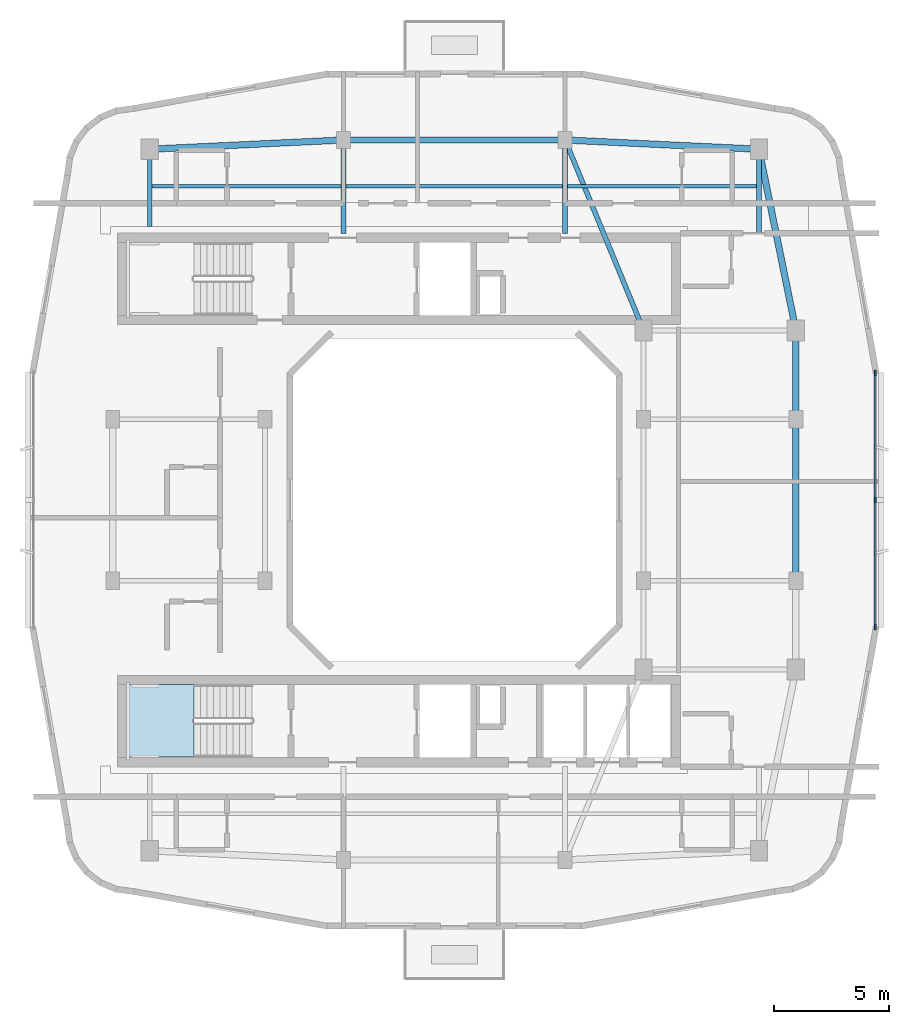
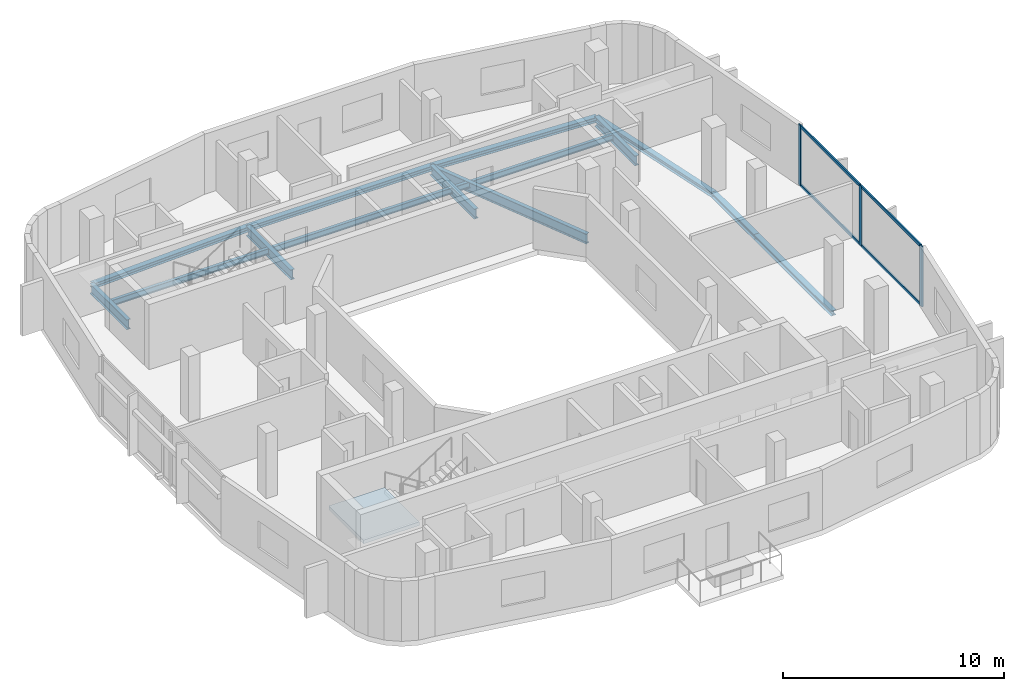
# One storey, part 2 of 10: 14 beams, 7 members, 1 slab, 2 elements without a shape of their own.
"""IFC4 building model written with IfcOpenShell, lengths in metres."""

from ifc_helpers import new_model, si_unit, derived_unit, direction, frame, origin, origin_2d, place, context, subcontext, project, spatial, polyline, rectangle, i_section, outline, extrude, material, layer, layer_set, material_profile, profile_set, type_object, element, aggregate, save


model = new_model("IFC4")

# Units and contexts
model_context = context("Model", 3, precision=1e-05, world=origin(), true_north=direction((0.0, 1.0)))
body_context = subcontext(model_context, "Body", "Model", "MODEL_VIEW")
ifc_project = project(units=[si_unit("LENGTHUNIT", "METRE"), si_unit("AREAUNIT", "SQUARE_METRE"), si_unit("VOLUMEUNIT", "CUBIC_METRE"), si_unit("PLANEANGLEUNIT", "RADIAN"), si_unit("MASSUNIT", "GRAM", prefix="KILO"), derived_unit("THERMALTRANSMITTANCEUNIT", [(si_unit("POWERUNIT", "WATT"), 1), (si_unit("LENGTHUNIT", "METRE"), -2), (si_unit("THERMODYNAMICTEMPERATUREUNIT", "KELVIN"), -1)])], contexts=[model_context])

# Site, building, storey
site_placement = place(None, origin())
site = spatial("IfcSite", under=ifc_project, at=site_placement, CompositionType="ELEMENT")
building_placement = place(site_placement, origin())
building = spatial("IfcBuilding", under=site, at=building_placement, Name="Kivonza Crest Hotel", CompositionType="ELEMENT")
storey_placement = place(building_placement, frame((0.0, 0.0, 243.199951171875)))
storey = spatial("IfcBuildingStorey", under=building, at=storey_placement, Name="L66", CompositionType="ELEMENT", Elevation=243.199951171875)

# Beams
ifc_material_1 = material(Name="Steel S355", Category="steel")
ifc_material_profile_1 = material_profile(ifc_material_1, i_section(OverallWidth=0.280029296875, OverallDepth=0.280029296875, WebThickness=0.010498046875, FlangeThickness=0.01806640625, FilletRadius=0.02392578125, at=origin_2d()), Name="HEB 280")
ifc_profile_set_1 = profile_set([ifc_material_profile_1], Name="Steel S355")
beam_type_1 = type_object("IfcBeamType", Name="BM-HEB280", PredefinedType="SPANDREL", material=ifc_profile_set_1)
beam_1_placement = place(storey_placement, frame((35.800048828125, 21.5, -0.419921875), z_axis=(0.0, 1.0, 0.0), x_axis=(-1.0, 0.0, 0.0)))
element("IfcBeam", 1, at=beam_1_placement, inside=storey, type_object=beam_type_1, Name="Tower T1 L66 perimeter spandrel E1-E2", PredefinedType="SPANDREL", context=body_context, shape_type="SweptSolid", body=[
    extrude(i_section(OverallWidth=0.280029296875, OverallDepth=0.280029296875, WebThickness=0.010498046875, FlangeThickness=0.01806640625, FilletRadius=0.02392578125, at=origin_2d()), origin(), (0.0, 0.0, 1.0), 7.0),
])
beam_2_placement = place(storey_placement, frame((35.800048828125, 28.5, -0.419921875), z_axis=(0.0, 1.0, 0.0), x_axis=(-1.0, 0.0, 0.0)))
element("IfcBeam", 2, at=beam_2_placement, inside=storey, type_object=beam_type_1, Name="Tower T1 L66 perimeter spandrel E2-PNE", PredefinedType="SPANDREL", context=body_context, shape_type="SweptSolid", body=[
    extrude(i_section(OverallWidth=0.280029296875, OverallDepth=0.280029296875, WebThickness=0.010498046875, FlangeThickness=0.01806640625, FilletRadius=0.02392578125, at=origin_2d()), origin(), (0.0, 0.0, 1.0), 3.85009765625),
])
beam_3_placement = place(storey_placement, frame((35.800048828125, 32.35009765625, -0.419921875), z_axis=(-0.199730733965, 0.979850822273, 0.0), x_axis=(-0.979850822273, -0.199730733965, 0.0)))
element("IfcBeam", 3, at=beam_3_placement, inside=storey, type_object=beam_type_1, Name="Tower T1 L66 perimeter spandrel PNE-NE", PredefinedType="SPANDREL", context=body_context, shape_type="SweptSolid", body=[
    extrude(i_section(OverallWidth=0.280029296875, OverallDepth=0.280029296875, WebThickness=0.010498046875, FlangeThickness=0.01806640625, FilletRadius=0.02392578125, at=origin_2d()), origin(), (0.0, 0.0, 1.0), 8.01123046875),
])
beam_4_placement = place(storey_placement, frame((34.199951171875, 40.199951171875, -0.419921875), z_axis=(-0.998867283688, 0.047583080799, 0.0), x_axis=(-0.047583080799, -0.998867283688, 0.0)))
element("IfcBeam", 4, at=beam_4_placement, inside=storey, type_object=beam_type_1, Name="Tower T1 L66 perimeter spandrel NE-N2", PredefinedType="SPANDREL", context=body_context, shape_type="SweptSolid", body=[
    extrude(i_section(OverallWidth=0.280029296875, OverallDepth=0.280029296875, WebThickness=0.010498046875, FlangeThickness=0.01806640625, FilletRadius=0.02392578125, at=origin_2d()), origin(), (0.0, 0.0, 1.0), 8.409423828125),
])
beam_5_placement = place(storey_placement, frame((25.800048828125, 40.60009765625, -0.419921875), z_axis=(-1.0, 0.0, 0.0), x_axis=(0.0, -1.0, 0.0)))
element("IfcBeam", 5, at=beam_5_placement, inside=storey, type_object=beam_type_1, Name="Tower T1 L66 perimeter spandrel N2-N1", PredefinedType="SPANDREL", context=body_context, shape_type="SweptSolid", body=[
    extrude(i_section(OverallWidth=0.280029296875, OverallDepth=0.280029296875, WebThickness=0.010498046875, FlangeThickness=0.01806640625, FilletRadius=0.02392578125, at=origin_2d()), origin(), (0.0, 0.0, 1.0), 9.60009765625),
])
beam_6_placement = place(storey_placement, frame((16.199951171875, 40.60009765625, -0.419921875), z_axis=(-0.998867283688, -0.047583080799, 0.0), x_axis=(0.047583080799, -0.998867283688, 0.0)))
element("IfcBeam", 6, at=beam_6_placement, inside=storey, type_object=beam_type_1, Name="Tower T1 L66 perimeter spandrel N1-NW", PredefinedType="SPANDREL", context=body_context, shape_type="SweptSolid", body=[
    extrude(i_section(OverallWidth=0.280029296875, OverallDepth=0.280029296875, WebThickness=0.010498046875, FlangeThickness=0.01806640625, FilletRadius=0.02392578125, at=origin_2d()), origin(), (0.0, 0.0, 1.0), 8.409423828125),
])
ifc_material_profile_2 = material_profile(ifc_material_1, i_section(OverallWidth=0.159912109375, OverallDepth=0.330078125, WebThickness=0.007568359375, FlangeThickness=0.011474609375, FilletRadius=0.01806640625, at=origin_2d()), Name="IPE 330")
ifc_profile_set_2 = profile_set([ifc_material_profile_2], Name="Steel S355")
beam_type_2 = type_object("IfcBeamType", Name="BM-IPE330", PredefinedType="JOIST", material=ifc_profile_set_2)
beam_7_placement = place(storey_placement, frame((7.8798828125, 38.60009765625, -0.445068359375), z_axis=(1.0, 0.0, 0.0), x_axis=(0.0, 1.0, 0.0)))
element("IfcBeam", 7, at=beam_7_placement, inside=storey, type_object=beam_type_2, Name="Tower T1 L66 North-West floor joist", PredefinedType="JOIST", context=body_context, shape_type="SweptSolid", body=[
    extrude(i_section(OverallWidth=0.159912109375, OverallDepth=0.330078125, WebThickness=0.007568359375, FlangeThickness=0.011474609375, FilletRadius=0.01806640625, at=origin_2d()), origin(), (0.0, 0.0, 1.0), 8.240234375),
])
beam_8_placement = place(storey_placement, frame((16.280029296875, 38.60009765625, -0.445068359375), z_axis=(1.0, 0.0, 0.0), x_axis=(0.0, 1.0, 0.0)))
element("IfcBeam", 8, at=beam_8_placement, inside=storey, type_object=beam_type_2, Name="Tower T1 L66 North-Mid floor joist", PredefinedType="JOIST", context=body_context, shape_type="SweptSolid", body=[
    extrude(i_section(OverallWidth=0.159912109375, OverallDepth=0.330078125, WebThickness=0.007568359375, FlangeThickness=0.011474609375, FilletRadius=0.01806640625, at=origin_2d()), origin(), (0.0, 0.0, 1.0), 9.43994140625),
])
beam_9_placement = place(storey_placement, frame((25.8798828125, 38.60009765625, -0.445068359375), z_axis=(1.0, 0.0, 0.0), x_axis=(0.0, 1.0, 0.0)))
element("IfcBeam", 9, at=beam_9_placement, inside=storey, type_object=beam_type_2, Name="Tower T1 L66 North-East floor joist", PredefinedType="JOIST", context=body_context, shape_type="SweptSolid", body=[
    extrude(i_section(OverallWidth=0.159912109375, OverallDepth=0.330078125, WebThickness=0.007568359375, FlangeThickness=0.011474609375, FilletRadius=0.01806640625, at=origin_2d()), origin(), (0.0, 0.0, 1.0), 8.240234375),
])
ifc_material_profile_3 = material_profile(ifc_material_1, i_section(OverallWidth=0.2099609375, OverallDepth=0.550048828125, WebThickness=0.010986328125, FlangeThickness=0.01708984375, FilletRadius=0.02392578125, at=origin_2d()), Name="IPE 550")
ifc_profile_set_3 = profile_set([ifc_material_profile_3], Name="Steel S355")
beam_type_3 = type_object("IfcBeamType", Name="BM-IPE550", PredefinedType="BEAM", material=ifc_profile_set_3)
beam_10_placement = place(storey_placement, frame((25.800048828125, 40.60009765625, -0.554931640625), z_axis=(0.381022260404, -0.924565864109, 0.0), x_axis=(0.924565864109, 0.381022260404, 0.0)))
element("IfcBeam", 10, at=beam_10_placement, inside=storey, type_object=beam_type_3, Name="Tower T1 L66 primary girder N1-TNE", PredefinedType="BEAM", context=body_context, shape_type="SweptSolid", body=[
    extrude(i_section(OverallWidth=0.2099609375, OverallDepth=0.550048828125, WebThickness=0.010986328125, FlangeThickness=0.01708984375, FilletRadius=0.02392578125, at=origin_2d()), origin(), (0.0, 0.0, 1.0), 8.923095703125),
])
beam_11_placement = place(storey_placement, frame((7.800048828125, 40.199951171875, -0.554931640625), z_axis=(0.0, -1.0, 0.0), x_axis=(1.0, 0.0, 0.0)))
element("IfcBeam", 11, at=beam_11_placement, inside=storey, type_object=beam_type_3, Name="Tower T1 L66 radial core girder RNW", PredefinedType="BEAM", context=body_context, shape_type="SweptSolid", body=[
    extrude(i_section(OverallWidth=0.2099609375, OverallDepth=0.550048828125, WebThickness=0.010986328125, FlangeThickness=0.01708984375, FilletRadius=0.02392578125, at=origin_2d()), origin(), (0.0, 0.0, 1.0), 3.349853515625),
])
for number, where, z_axis, x_axis, name in (
    (12, (16.199951171875, 40.60009765625, -0.554931640625), (0.0, -1.0, 0.0), (1.0, 0.0, 0.0), "Tower T1 L66 radial core girder RN1"),
    (13, (25.800048828125, 40.60009765625, -0.554931640625), (0.0, -1.0, 0.0), (1.0, 0.0, 0.0), "Tower T1 L66 radial core girder RN2"),
):
    element("IfcBeam", number, at=place(storey_placement, frame(where, z_axis=z_axis, x_axis=x_axis)), inside=storey, type_object=beam_type_3, Name=name, PredefinedType="BEAM", context=body_context, shape_type="SweptSolid", body=[
        extrude(i_section(OverallWidth=0.2099609375, OverallDepth=0.550048828125, WebThickness=0.010986328125, FlangeThickness=0.01708984375, FilletRadius=0.02392578125, at=origin_2d()), origin(), (0.0, 0.0, 1.0), 4.050048828125),
    ])
beam_12_placement = place(storey_placement, frame((34.199951171875, 40.199951171875, -0.554931640625), z_axis=(0.0, -1.0, 0.0), x_axis=(1.0, 0.0, 0.0)))
element("IfcBeam", 14, at=beam_12_placement, inside=storey, type_object=beam_type_3, Name="Tower T1 L66 radial core girder RNE", PredefinedType="BEAM", context=body_context, shape_type="SweptSolid", body=[
    extrude(i_section(OverallWidth=0.2099609375, OverallDepth=0.550048828125, WebThickness=0.010986328125, FlangeThickness=0.01708984375, FilletRadius=0.02392578125, at=origin_2d()), origin(), (0.0, 0.0, 1.0), 3.64990234375),
])

# Curtain wall, members
ifc_material_2 = material(Name="Anodised bronze aluminium and low-E double glazing", Category="aluminium")
ifc_layer_1 = layer(ifc_material_2, 0.179931640625)
ifc_layer_set_1 = layer_set([ifc_layer_1], Name="Anodised bronze aluminium and low-E double glazing")
curtain_wall_type = type_object("IfcCurtainWallType", Name="CW-SYS-3", PredefinedType="NOTDEFINED", material=ifc_layer_set_1)
curtain_wall_placement = place(storey_placement, origin())
curtain_wall = element("IfcCurtainWall", 15, at=curtain_wall_placement, inside=storey, type_object=curtain_wall_type, Name="L66 unitised curtain wall CW-T1-L66-17", PredefinedType="NOTDEFINED")
ifc_material_3 = material(Name="Anodised bronze aluminium", Category="aluminium")
ifc_material_profile_4 = material_profile(ifc_material_3, rectangle(XDim=0.074951171875, YDim=0.219970703125, at=origin_2d()), Name="CW-M 75x220")
ifc_profile_set_4 = profile_set([ifc_material_profile_4], Name="Anodised bronze aluminium")
member_type_1 = type_object("IfcMemberType", Name="CW-MUL-75x220", PredefinedType="MULLION", material=ifc_profile_set_4)
member_1_placement = place(storey_placement, frame((39.239990234375, 19.49755859375, 0.0), z_axis=(0.0, 0.0, 1.0), x_axis=(-1.0, 0.0, 0.0)))
member_1 = element("IfcMember", 16, at=member_1_placement, type_object=member_type_1, Name="CW-3 mullion 1", PredefinedType="MULLION", context=body_context, shape_type="SweptSolid", body=[
    extrude(rectangle(XDim=0.074951171875, YDim=0.219970703125, at=origin_2d()), origin(), (0.0, 0.0, 1.0), 3.320068359375),
])
member_2_placement = place(storey_placement, frame((39.239990234375, 25.0, 0.0), z_axis=(0.0, 0.0, 1.0), x_axis=(-1.0, 0.0, 0.0)))
member_2 = element("IfcMember", 17, at=member_2_placement, type_object=member_type_1, Name="CW-3 mullion 2", PredefinedType="MULLION", context=body_context, shape_type="SweptSolid", body=[
    extrude(rectangle(XDim=0.074951171875, YDim=0.219970703125, at=origin_2d()), origin(), (0.0, 0.0, 1.0), 3.320068359375),
])
member_3_placement = place(storey_placement, frame((39.239990234375, 30.50244140625, 0.0), z_axis=(0.0, 0.0, 1.0), x_axis=(-1.0, 0.0, 0.0)))
member_3 = element("IfcMember", 18, at=member_3_placement, type_object=member_type_1, Name="CW-3 mullion 3", PredefinedType="MULLION", context=body_context, shape_type="SweptSolid", body=[
    extrude(rectangle(XDim=0.074951171875, YDim=0.219970703125, at=origin_2d()), origin(), (0.0, 0.0, 1.0), 3.320068359375),
])
ifc_material_profile_5 = material_profile(ifc_material_3, rectangle(XDim=0.074951171875, YDim=0.159912109375, at=origin_2d()), Name="CW-T 75x160")
ifc_profile_set_5 = profile_set([ifc_material_profile_5], Name="Anodised bronze aluminium")
member_type_2 = type_object("IfcMemberType", Name="CW-TRN-75x160", PredefinedType="USERDEFINED", material=ifc_profile_set_5)
member_4_placement = place(storey_placement, frame((39.239990234375, 19.534912109375, 0.03759765625), z_axis=(0.0, 1.0, 0.0), x_axis=(-1.0, 0.0, 0.0)))
member_4 = element("IfcMember", 19, at=member_4_placement, type_object=member_type_2, Name="CW-3 transom 1.1", ObjectType="TRANSOM", PredefinedType="USERDEFINED", context=body_context, shape_type="SweptSolid", body=[
    extrude(rectangle(XDim=0.074951171875, YDim=0.159912109375, at=origin_2d()), origin(), (0.0, 0.0, 1.0), 5.427490234375),
])
member_5_placement = place(storey_placement, frame((39.239990234375, 19.534912109375, 3.282470703125), z_axis=(0.0, 1.0, 0.0), x_axis=(-1.0, 0.0, 0.0)))
member_5 = element("IfcMember", 20, at=member_5_placement, type_object=member_type_2, Name="CW-3 transom 1.2", ObjectType="TRANSOM", PredefinedType="USERDEFINED", context=body_context, shape_type="SweptSolid", body=[
    extrude(rectangle(XDim=0.074951171875, YDim=0.159912109375, at=origin_2d()), origin(), (0.0, 0.0, 1.0), 5.427490234375),
])
member_6_placement = place(storey_placement, frame((39.239990234375, 25.03759765625, 0.03759765625), z_axis=(0.0, 1.0, 0.0), x_axis=(-1.0, 0.0, 0.0)))
member_6 = element("IfcMember", 21, at=member_6_placement, type_object=member_type_2, Name="CW-3 transom 2.1", ObjectType="TRANSOM", PredefinedType="USERDEFINED", context=body_context, shape_type="SweptSolid", body=[
    extrude(rectangle(XDim=0.074951171875, YDim=0.159912109375, at=origin_2d()), origin(), (0.0, 0.0, 1.0), 5.427490234375),
])
member_7_placement = place(storey_placement, frame((39.239990234375, 25.03759765625, 3.282470703125), z_axis=(0.0, 1.0, 0.0), x_axis=(-1.0, 0.0, 0.0)))
member_7 = element("IfcMember", 22, at=member_7_placement, type_object=member_type_2, Name="CW-3 transom 2.2", ObjectType="TRANSOM", PredefinedType="USERDEFINED", context=body_context, shape_type="SweptSolid", body=[
    extrude(rectangle(XDim=0.074951171875, YDim=0.159912109375, at=origin_2d()), origin(), (0.0, 0.0, 1.0), 5.427490234375),
])
aggregate(curtain_wall, [member_1, member_2, member_3, member_4, member_5, member_6, member_7])

# Stair, slab
ifc_material_4 = material(Name="Concrete C40/50", Category="concrete")
stair_type = type_object("IfcStairType", Name="ST-DL-20R", PredefinedType="HALF_TURN_STAIR", material=ifc_material_4)
stair_placement = place(storey_placement, origin())
stair = element("IfcStair", 23, at=stair_placement, inside=storey, type_object=stair_type, Name="L66 Protected Exit Stair ST-T1-S", PredefinedType="HALF_TURN_STAIR")
ifc_layer_2 = layer(ifc_material_4, 0.199951171875)
ifc_layer_set_2 = layer_set([ifc_layer_2], Name="Concrete C40/50")
slab_type = type_object("IfcSlabType", Name="SL-LAND-200", PredefinedType="LANDING", material=ifc_layer_set_2)
slab_placement = place(storey_placement, frame((0.0, 0.0, 1.60009765625)))
slab = element("IfcSlab", 24, at=slab_placement, type_object=slab_type, Name="ST-T1-S landing 1", PredefinedType="LANDING", context=body_context, shape_type="SweptSolid", body=[
    extrude(outline(polyline([(9.719970703125, 17.0), (6.800048828125, 17.0), (6.800048828125, 13.860107421875), (9.719970703125, 13.860107421875), (9.719970703125, 17.0)])), origin(), (0.0, 0.0, 1.0), 0.199951171875),
])
aggregate(stair, [slab])

save(model, "model.ifc")
